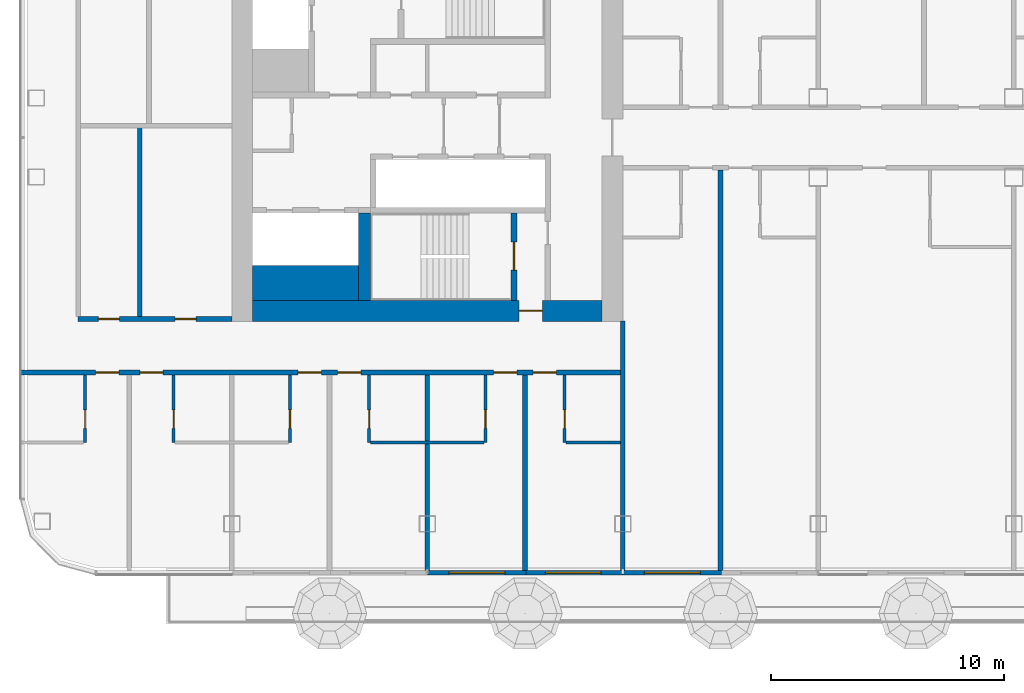
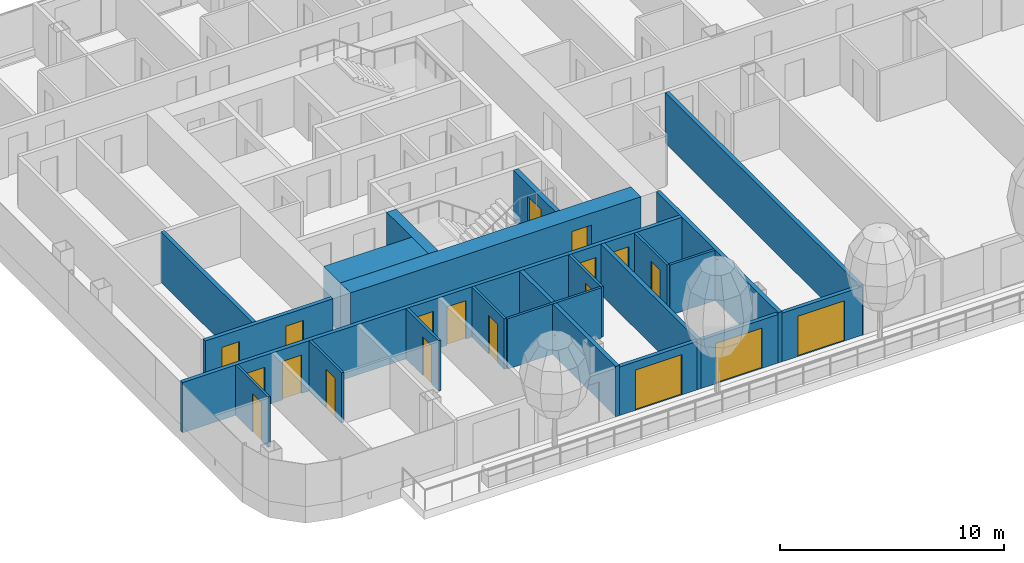
# One storey, part 12 of 32: 22 walls, 19 doors, 19 openings, 1 element without a shape of its own.
"""IFC4 building model written with IfcOpenShell, lengths in metres."""

from ifc_helpers import new_model, si_unit, direction, frame, frame_2d, origin, place, context, subcontext, project, spatial, rectangle, extrude, material, layer, layer_set, type_object, element, fill, aggregate, save


model = new_model("IFC4")

# Units and contexts
model_context = context("Model", 3, precision=1e-05, world=origin(), true_north=direction((0.0, 1.0)))
body_context = subcontext(model_context, "Body", "Model", "MODEL_VIEW")
ifc_project = project(units=[si_unit("LENGTHUNIT", "METRE"), si_unit("AREAUNIT", "SQUARE_METRE"), si_unit("VOLUMEUNIT", "CUBIC_METRE"), si_unit("PLANEANGLEUNIT", "RADIAN"), si_unit("MASSUNIT", "GRAM", prefix="KILO")], contexts=[model_context])

# Site, building, storey
site_placement = place(None, origin())
site = spatial("IfcSite", under=ifc_project, at=site_placement, CompositionType="ELEMENT")
building_placement = place(site_placement, origin())
building = spatial("IfcBuilding", under=site, at=building_placement, Name="Hakoniwa Tower and Hamabe Station Hall", CompositionType="ELEMENT")
storey_placement = place(building_placement, frame((0.0, 0.0, 150.199951171875)))
storey = spatial("IfcBuildingStorey", under=building, at=storey_placement, Name="L42", CompositionType="ELEMENT", Elevation=150.199951171875)

# Walls
ifc_material_1 = material(Name="Gypsum board partition", Category="gypsum")
ifc_layer_1 = layer(ifc_material_1, 0.125)
ifc_layer_set_1 = layer_set([ifc_layer_1], Name="Bathroom Partition 125")
wall_type_1 = type_object("IfcWallType", Name="Bathroom Partition 125", PredefinedType="PARTITIONING", material=ifc_layer_set_1)
wall_1_placement = place(storey_placement, frame((-27.637451171875, -13.60009765625, 0.0), z_axis=(0.0, 0.0, 1.0), x_axis=(1.0, 0.0, 0.0)))
element("IfcWall", 1, at=wall_1_placement, inside=storey, type_object=wall_type_1, Name="GW-L42-003", PredefinedType="PARTITIONING", context=body_context, shape_type="SweptSolid", body=[
    extrude(rectangle(XDim=4.875, YDim=0.125, at=frame_2d((2.4375, 0.0))), origin(), (0.0, 0.0, 1.0), 2.75),
])
wall_2_placement = place(storey_placement, frame((-19.237548828125, -13.60009765625, 0.0), z_axis=(0.0, 0.0, 1.0), x_axis=(1.0, 0.0, 0.0)))
element("IfcWall", 2, at=wall_2_placement, inside=storey, type_object=wall_type_1, Name="GW-L42-004", PredefinedType="PARTITIONING", context=body_context, shape_type="SweptSolid", body=[
    extrude(rectangle(XDim=2.337646484375, YDim=0.125, at=frame_2d((1.1689453125, 0.0))), origin(), (0.0, 0.0, 1.0), 2.75),
])

# Wall, opening, door
wall_3_placement = place(storey_placement, frame((-39.89990234375, -13.60009765625, 0.0), z_axis=(0.0, 0.0, 1.0), x_axis=(0.0, 1.0, 0.0)))
wall_3 = element("IfcWall", 3, at=wall_3_placement, inside=storey, type_object=wall_type_1, Name="GW-L42-036", PredefinedType="PARTITIONING", context=body_context, shape_type="SweptSolid", body=[
    extrude(rectangle(XDim=2.900146484375, YDim=0.125, at=frame_2d((1.4501953125, 0.0))), origin(), (0.0, 0.0, 1.0), 2.75),
])
opening_1_placement = place(wall_3_placement, frame((0.60009765625, 0.0, 0.0)))
opening_1 = element("IfcOpeningElement", 4, at=opening_1_placement, cuts=wall_3, Name="Opening GD-G3B1-44", PredefinedType="OPENING", context=body_context, shape_type="SweptSolid", body=[
    extrude(rectangle(XDim=0.800048828125, YDim=2.10009765625, at=frame_2d((0.39990234375, 1.050048828125))), frame((0.0, 0.072509765625, 0.0), z_axis=(0.0, -1.0, 0.0), x_axis=(1.0, 0.0, 0.0)), (0.0, 0.0, 1.0), 0.14501953125),
])
ifc_material_2 = material(Name="Timber door leaf", Category="wood")
door_type_1 = type_object("IfcDoorType", Name="Bathroom Door 800", OperationType="SINGLE_SWING_LEFT", PredefinedType="DOOR", material=ifc_material_2)
door_1_placement = place(opening_1_placement, origin())
door_1 = element("IfcDoor", 5, at=door_1_placement, inside=storey, type_object=door_type_1, Name="Door GD-G3B1-44", OperationType="SINGLE_SWING_RIGHT", OverallHeight=2.10009765625, OverallWidth=0.800048828125, PredefinedType="DOOR", context=body_context, shape_type="SweptSolid", body=[
    extrude(rectangle(XDim=0.800048828125, YDim=2.10009765625, at=frame_2d((0.39990234375, 1.050048828125))), frame((0.0, 0.02490234375, 0.0), z_axis=(0.0, -1.0, 0.0), x_axis=(1.0, 0.0, 0.0)), (0.0, 0.0, 1.0), 0.050048828125),
])
fill(opening_1, door_1)

wall_4_placement = place(storey_placement, frame((-36.10009765625, -13.60009765625, 0.0), z_axis=(0.0, 0.0, 1.0), x_axis=(0.0, 1.0, 0.0)))
wall_4 = element("IfcWall", 6, at=wall_4_placement, inside=storey, type_object=wall_type_1, Name="GW-L42-042", PredefinedType="PARTITIONING", context=body_context, shape_type="SweptSolid", body=[
    extrude(rectangle(XDim=2.900146484375, YDim=0.125, at=frame_2d((1.4501953125, 0.0))), origin(), (0.0, 0.0, 1.0), 2.75),
])
opening_2_placement = place(wall_4_placement, frame((0.60009765625, 0.0, 0.0)))
opening_2 = element("IfcOpeningElement", 7, at=opening_2_placement, cuts=wall_4, Name="Opening GD-G3B1-46", PredefinedType="OPENING", context=body_context, shape_type="SweptSolid", body=[
    extrude(rectangle(XDim=0.800048828125, YDim=2.10009765625, at=frame_2d((0.39990234375, 1.050048828125))), frame((0.0, 0.072509765625, 0.0), z_axis=(0.0, -1.0, 0.0), x_axis=(1.0, 0.0, 0.0)), (0.0, 0.0, 1.0), 0.14501953125),
])
door_2_placement = place(opening_2_placement, origin())
door_2 = element("IfcDoor", 8, at=door_2_placement, inside=storey, type_object=door_type_1, Name="Door GD-G3B1-46", OperationType="SINGLE_SWING_LEFT", OverallHeight=2.10009765625, OverallWidth=0.800048828125, PredefinedType="DOOR", context=body_context, shape_type="SweptSolid", body=[
    extrude(rectangle(XDim=0.800048828125, YDim=2.10009765625, at=frame_2d((0.39990234375, 1.050048828125))), frame((0.0, 0.02490234375, 0.0), z_axis=(0.0, -1.0, 0.0), x_axis=(1.0, 0.0, 0.0)), (0.0, 0.0, 1.0), 0.050048828125),
])
fill(opening_2, door_2)

wall_5_placement = place(storey_placement, frame((-31.10009765625, -13.60009765625, 0.0), z_axis=(0.0, 0.0, 1.0), x_axis=(0.0, 1.0, 0.0)))
wall_5 = element("IfcWall", 9, at=wall_5_placement, inside=storey, type_object=wall_type_1, Name="GW-L42-046", PredefinedType="PARTITIONING", context=body_context, shape_type="SweptSolid", body=[
    extrude(rectangle(XDim=2.900146484375, YDim=0.125, at=frame_2d((1.4501953125, 0.0))), origin(), (0.0, 0.0, 1.0), 2.75),
])
opening_3_placement = place(wall_5_placement, frame((0.60009765625, 0.0, 0.0)))
opening_3 = element("IfcOpeningElement", 10, at=opening_3_placement, cuts=wall_5, Name="Opening GD-G3B1-48", PredefinedType="OPENING", context=body_context, shape_type="SweptSolid", body=[
    extrude(rectangle(XDim=0.800048828125, YDim=2.10009765625, at=frame_2d((0.39990234375, 1.050048828125))), frame((0.0, 0.072509765625, 0.0), z_axis=(0.0, -1.0, 0.0), x_axis=(1.0, 0.0, 0.0)), (0.0, 0.0, 1.0), 0.14501953125),
])
door_3_placement = place(opening_3_placement, origin())
door_3 = element("IfcDoor", 11, at=door_3_placement, inside=storey, type_object=door_type_1, Name="Door GD-G3B1-48", OperationType="SINGLE_SWING_RIGHT", OverallHeight=2.10009765625, OverallWidth=0.800048828125, PredefinedType="DOOR", context=body_context, shape_type="SweptSolid", body=[
    extrude(rectangle(XDim=0.800048828125, YDim=2.10009765625, at=frame_2d((0.39990234375, 1.050048828125))), frame((0.0, 0.02490234375, 0.0), z_axis=(0.0, -1.0, 0.0), x_axis=(1.0, 0.0, 0.0)), (0.0, 0.0, 1.0), 0.050048828125),
])
fill(opening_3, door_3)

wall_6_placement = place(storey_placement, frame((-27.699951171875, -13.60009765625, 0.0), z_axis=(0.0, 0.0, 1.0), x_axis=(0.0, 1.0, 0.0)))
wall_6 = element("IfcWall", 12, at=wall_6_placement, inside=storey, type_object=wall_type_1, Name="GW-L42-050", PredefinedType="PARTITIONING", context=body_context, shape_type="SweptSolid", body=[
    extrude(rectangle(XDim=2.900146484375, YDim=0.125, at=frame_2d((1.4501953125, 0.0))), origin(), (0.0, 0.0, 1.0), 2.75),
])
opening_4_placement = place(wall_6_placement, frame((0.60009765625, 0.0, 0.0)))
opening_4 = element("IfcOpeningElement", 13, at=opening_4_placement, cuts=wall_6, Name="Opening GD-G3B1-50", PredefinedType="OPENING", context=body_context, shape_type="SweptSolid", body=[
    extrude(rectangle(XDim=0.800048828125, YDim=2.10009765625, at=frame_2d((0.39990234375, 1.050048828125))), frame((0.0, 0.072509765625, 0.0), z_axis=(0.0, -1.0, 0.0), x_axis=(1.0, 0.0, 0.0)), (0.0, 0.0, 1.0), 0.14501953125),
])
door_4_placement = place(opening_4_placement, origin())
door_4 = element("IfcDoor", 14, at=door_4_placement, inside=storey, type_object=door_type_1, Name="Door GD-G3B1-50", OperationType="SINGLE_SWING_LEFT", OverallHeight=2.10009765625, OverallWidth=0.800048828125, PredefinedType="DOOR", context=body_context, shape_type="SweptSolid", body=[
    extrude(rectangle(XDim=0.800048828125, YDim=2.10009765625, at=frame_2d((0.39990234375, 1.050048828125))), frame((0.0, 0.02490234375, 0.0), z_axis=(0.0, -1.0, 0.0), x_axis=(1.0, 0.0, 0.0)), (0.0, 0.0, 1.0), 0.050048828125),
])
fill(opening_4, door_4)

wall_7_placement = place(storey_placement, frame((-22.699951171875, -13.60009765625, 0.0), z_axis=(0.0, 0.0, 1.0), x_axis=(0.0, 1.0, 0.0)))
wall_7 = element("IfcWall", 15, at=wall_7_placement, inside=storey, type_object=wall_type_1, Name="GW-L42-054", PredefinedType="PARTITIONING", context=body_context, shape_type="SweptSolid", body=[
    extrude(rectangle(XDim=2.900146484375, YDim=0.125, at=frame_2d((1.4501953125, 0.0))), origin(), (0.0, 0.0, 1.0), 2.75),
])
opening_5_placement = place(wall_7_placement, frame((0.60009765625, 0.0, 0.0)))
opening_5 = element("IfcOpeningElement", 16, at=opening_5_placement, cuts=wall_7, Name="Opening GD-G3B1-52", PredefinedType="OPENING", context=body_context, shape_type="SweptSolid", body=[
    extrude(rectangle(XDim=0.800048828125, YDim=2.10009765625, at=frame_2d((0.39990234375, 1.050048828125))), frame((0.0, 0.072509765625, 0.0), z_axis=(0.0, -1.0, 0.0), x_axis=(1.0, 0.0, 0.0)), (0.0, 0.0, 1.0), 0.14501953125),
])
door_5_placement = place(opening_5_placement, origin())
door_5 = element("IfcDoor", 17, at=door_5_placement, inside=storey, type_object=door_type_1, Name="Door GD-G3B1-52", OperationType="SINGLE_SWING_RIGHT", OverallHeight=2.10009765625, OverallWidth=0.800048828125, PredefinedType="DOOR", context=body_context, shape_type="SweptSolid", body=[
    extrude(rectangle(XDim=0.800048828125, YDim=2.10009765625, at=frame_2d((0.39990234375, 1.050048828125))), frame((0.0, 0.02490234375, 0.0), z_axis=(0.0, -1.0, 0.0), x_axis=(1.0, 0.0, 0.0)), (0.0, 0.0, 1.0), 0.050048828125),
])
fill(opening_5, door_5)

wall_8_placement = place(storey_placement, frame((-19.300048828125, -13.60009765625, 0.0), z_axis=(0.0, 0.0, 1.0), x_axis=(0.0, 1.0, 0.0)))
wall_8 = element("IfcWall", 18, at=wall_8_placement, inside=storey, type_object=wall_type_1, Name="GW-L42-058", PredefinedType="PARTITIONING", context=body_context, shape_type="SweptSolid", body=[
    extrude(rectangle(XDim=2.900146484375, YDim=0.125, at=frame_2d((1.4501953125, 0.0))), origin(), (0.0, 0.0, 1.0), 2.75),
])
opening_6_placement = place(wall_8_placement, frame((0.60009765625, 0.0, 0.0)))
opening_6 = element("IfcOpeningElement", 19, at=opening_6_placement, cuts=wall_8, Name="Opening GD-G3B1-54", PredefinedType="OPENING", context=body_context, shape_type="SweptSolid", body=[
    extrude(rectangle(XDim=0.800048828125, YDim=2.10009765625, at=frame_2d((0.39990234375, 1.050048828125))), frame((0.0, 0.072509765625, 0.0), z_axis=(0.0, -1.0, 0.0), x_axis=(1.0, 0.0, 0.0)), (0.0, 0.0, 1.0), 0.14501953125),
])
door_6_placement = place(opening_6_placement, origin())
door_6 = element("IfcDoor", 20, at=door_6_placement, inside=storey, type_object=door_type_1, Name="Door GD-G3B1-54", OperationType="SINGLE_SWING_LEFT", OverallHeight=2.10009765625, OverallWidth=0.800048828125, PredefinedType="DOOR", context=body_context, shape_type="SweptSolid", body=[
    extrude(rectangle(XDim=0.800048828125, YDim=2.10009765625, at=frame_2d((0.39990234375, 1.050048828125))), frame((0.0, 0.02490234375, 0.0), z_axis=(0.0, -1.0, 0.0), x_axis=(1.0, 0.0, 0.0)), (0.0, 0.0, 1.0), 0.050048828125),
])
fill(opening_6, door_6)

ifc_material_3 = material(Name="Concrete C66", Category="concrete")
ifc_layer_2 = layer(ifc_material_3, 0.89990234375)
ifc_layer_set_2 = layer_set([ifc_layer_2], Name="CORE WALL 900 C66")
wall_type_2 = type_object("IfcWallType", Name="CORE WALL 900 C66", PredefinedType="SHEAR", material=ifc_layer_set_2)
wall_9_placement = place(storey_placement, frame((-32.699951171875, -7.949951171875, 0.0), z_axis=(0.0, 0.0, 1.0), x_axis=(1.0, 0.0, 0.0)))
wall_9 = element("IfcWall", 21, at=wall_9_placement, inside=storey, type_object=wall_type_2, Name="Core wall SOUTH west", PredefinedType="SHEAR", context=body_context, shape_type="SweptSolid", body=[
    extrude(rectangle(XDim=15.0, YDim=0.89990234375, at=frame_2d((7.5, 0.0))), origin(), (0.0, 0.0, 1.0), 2.75),
])
opening_7_placement = place(wall_9_placement, frame((11.449951171875, 0.0, 0.0)))
opening_7 = element("IfcOpeningElement", 22, at=opening_7_placement, cuts=wall_9, Name="Opening CD-W-FS3-10", PredefinedType="OPENING", context=body_context, shape_type="SweptSolid", body=[
    extrude(rectangle(XDim=1.0, YDim=2.10009765625, at=frame_2d((0.5, 1.050048828125))), frame((0.0, 0.4599609375, 0.0), z_axis=(0.0, -1.0, 0.0), x_axis=(1.0, 0.0, 0.0)), (0.0, 0.0, 1.0), 0.919921875),
])
ifc_material_4 = material(Name="Steel fire door", Category="steel")
door_type_2 = type_object("IfcDoorType", Name="CORE DOOR 1000 FD60", OperationType="NOTDEFINED", PredefinedType="DOOR", material=ifc_material_4)
door_7_placement = place(opening_7_placement, origin())
door_7 = element("IfcDoor", 23, at=door_7_placement, inside=storey, type_object=door_type_2, Name="Stair vestibule door", OperationType="SINGLE_SWING_LEFT", OverallHeight=2.10009765625, OverallWidth=1.0, PredefinedType="DOOR", context=body_context, shape_type="SweptSolid", body=[
    extrude(rectangle(XDim=1.0, YDim=2.10009765625, at=frame_2d((0.5, 1.050048828125))), frame((0.0, 0.02490234375, 0.0), z_axis=(0.0, -1.0, 0.0), x_axis=(1.0, 0.0, 0.0)), (0.0, 0.0, 1.0), 0.050048828125),
])
fill(opening_7, door_7)

# Wall
ifc_material_5 = material(Name="Concrete C66", Category="concrete")
ifc_layer_3 = layer(ifc_material_5, 1.5)
ifc_layer_set_3 = layer_set([ifc_layer_3], Name="CORE WEB WALL 1500 C66")
wall_type_3 = type_object("IfcWallType", Name="CORE WEB WALL 1500 C66", PredefinedType="SHEAR", material=ifc_layer_set_3)
wall_10_placement = place(storey_placement, frame((-32.699951171875, -6.75, 0.0), z_axis=(0.0, 0.0, 1.0), x_axis=(1.0, 0.0, 0.0)))
element("IfcWall", 24, at=wall_10_placement, inside=storey, type_object=wall_type_3, Name="Core wall SER west", PredefinedType="SHEAR", context=body_context, shape_type="SweptSolid", body=[
    extrude(rectangle(XDim=4.550048828125, YDim=1.5, at=frame_2d((2.27490234375, 0.0))), origin(), (0.0, 0.0, 1.0), 2.75),
])

# Wall, opening, door
ifc_material_6 = material(Name="Concrete C66", Category="concrete")
ifc_layer_4 = layer(ifc_material_6, 0.25)
ifc_layer_set_4 = layer_set([ifc_layer_4], Name="CORE WEB WALL 250 C66")
wall_type_4 = type_object("IfcWallType", Name="CORE WEB WALL 250 C66", PredefinedType="SHEAR", material=ifc_layer_set_4)
wall_11_placement = place(storey_placement, frame((-21.47509765625, -7.5, 0.0), z_axis=(0.0, 0.0, 1.0), x_axis=(0.0, 1.0, 0.0)))
wall_11 = element("IfcWall", 25, at=wall_11_placement, inside=storey, type_object=wall_type_4, Name="Core wall VE west", PredefinedType="SHEAR", context=body_context, shape_type="SweptSolid", body=[
    extrude(rectangle(XDim=3.75, YDim=0.25, at=frame_2d((1.875, 0.0))), origin(), (0.0, 0.0, 1.0), 2.75),
])
opening_8_placement = place(wall_11_placement, frame((1.300048828125, 0.0, 0.0)))
opening_8 = element("IfcOpeningElement", 26, at=opening_8_placement, cuts=wall_11, Name="Opening CD-W-SS-12", PredefinedType="OPENING", context=body_context, shape_type="SweptSolid", body=[
    extrude(rectangle(XDim=1.199951171875, YDim=2.10009765625, at=frame_2d((0.60009765625, 1.050048828125))), frame((0.0, 0.135009765625, 0.0), z_axis=(0.0, -1.0, 0.0), x_axis=(1.0, 0.0, 0.0)), (0.0, 0.0, 1.0), 0.27001953125),
])
ifc_material_7 = material(Name="Steel fire door", Category="steel")
door_type_3 = type_object("IfcDoorType", Name="CORE DOOR 1200 FD60", OperationType="DOUBLE_DOOR_SINGLE_SWING", PredefinedType="DOOR", material=ifc_material_7)
door_8_placement = place(opening_8_placement, origin())
door_8 = element("IfcDoor", 27, at=door_8_placement, inside=storey, type_object=door_type_3, Name="Escape stair door", OperationType="DOUBLE_DOOR_SINGLE_SWING", OverallHeight=2.10009765625, OverallWidth=1.199951171875, PredefinedType="DOOR", context=body_context, shape_type="SweptSolid", body=[
    extrude(rectangle(XDim=1.199951171875, YDim=2.10009765625, at=frame_2d((0.60009765625, 1.050048828125))), frame((0.0, 0.02490234375, 0.0), z_axis=(0.0, -1.0, 0.0), x_axis=(1.0, 0.0, 0.0)), (0.0, 0.0, 1.0), 0.050048828125),
])
fill(opening_8, door_8)

# Wall
ifc_material_8 = material(Name="Concrete C66", Category="concrete")
ifc_layer_5 = layer(ifc_material_8, 0.5)
ifc_layer_set_5 = layer_set([ifc_layer_5], Name="CORE WEB WALL 500 C66")
wall_type_5 = type_object("IfcWallType", Name="CORE WEB WALL 500 C66", PredefinedType="SHEAR", material=ifc_layer_set_5)
wall_12_placement = place(storey_placement, frame((-27.89990234375, -7.5, 0.0), z_axis=(0.0, 0.0, 1.0), x_axis=(0.0, 1.0, 0.0)))
element("IfcWall", 28, at=wall_12_placement, inside=storey, type_object=wall_type_5, Name="Core wall SSE west", PredefinedType="SHEAR", context=body_context, shape_type="SweptSolid", body=[
    extrude(rectangle(XDim=3.75, YDim=0.5, at=frame_2d((1.875, 0.0))), origin(), (0.0, 0.0, 1.0), 2.75),
])

# Wall, openings, doors
ifc_material_9 = material(Name="Fire-rated gypsum board partition", Category="gypsum")
ifc_layer_6 = layer(ifc_material_9, 0.199951171875)
ifc_layer_set_6 = layer_set([ifc_layer_6], Name="Corridor Wall 200")
wall_type_6 = type_object("IfcWallType", Name="Corridor Wall 200", PredefinedType="PARTITIONING", material=ifc_layer_set_6)
wall_13_placement = place(storey_placement, frame((-42.699951171875, -10.60009765625, 0.0), z_axis=(0.0, 0.0, 1.0), x_axis=(1.0, 0.0, 0.0)))
wall_13 = element("IfcWall", 29, at=wall_13_placement, inside=storey, type_object=wall_type_6, Name="GW-L42-009", PredefinedType="PARTITIONING", context=body_context, shape_type="SweptSolid", body=[
    extrude(rectangle(XDim=25.89990234375, YDim=0.199951171875, at=frame_2d((12.949951171875, 0.0))), origin(), (0.0, 0.0, 1.0), 2.75),
])
opening_9_placement = place(wall_13_placement, frame((3.25, 0.0, 0.0)))
opening_9 = element("IfcOpeningElement", 30, at=opening_9_placement, cuts=wall_13, Name="Opening GD-G3B1-01", PredefinedType="OPENING", context=body_context, shape_type="SweptSolid", body=[
    extrude(rectangle(XDim=1.0, YDim=2.10009765625, at=frame_2d((0.5, 1.050048828125))), frame((0.0, 0.10986328125, 0.0), z_axis=(0.0, -1.0, 0.0), x_axis=(1.0, 0.0, 0.0)), (0.0, 0.0, 1.0), 0.219970703125),
])
opening_10_placement = place(wall_13_placement, frame((5.14990234375, 0.0, 0.0)))
opening_10 = element("IfcOpeningElement", 31, at=opening_10_placement, cuts=wall_13, Name="Opening GD-G3B1-02", PredefinedType="OPENING", context=body_context, shape_type="SweptSolid", body=[
    extrude(rectangle(XDim=1.0, YDim=2.10009765625, at=frame_2d((0.5, 1.050048828125))), frame((0.0, 0.10986328125, 0.0), z_axis=(0.0, -1.0, 0.0), x_axis=(1.0, 0.0, 0.0)), (0.0, 0.0, 1.0), 0.219970703125),
])
opening_11_placement = place(wall_13_placement, frame((11.949951171875, 0.0, 0.0)))
opening_11 = element("IfcOpeningElement", 32, at=opening_11_placement, cuts=wall_13, Name="Opening GD-G3B1-03", PredefinedType="OPENING", context=body_context, shape_type="SweptSolid", body=[
    extrude(rectangle(XDim=1.0, YDim=2.10009765625, at=frame_2d((0.5, 1.050048828125))), frame((0.0, 0.10986328125, 0.0), z_axis=(0.0, -1.0, 0.0), x_axis=(1.0, 0.0, 0.0)), (0.0, 0.0, 1.0), 0.219970703125),
])
opening_12_placement = place(wall_13_placement, frame((13.64990234375, 0.0, 0.0)))
opening_12 = element("IfcOpeningElement", 33, at=opening_12_placement, cuts=wall_13, Name="Opening GD-G3B1-04", PredefinedType="OPENING", context=body_context, shape_type="SweptSolid", body=[
    extrude(rectangle(XDim=1.0, YDim=2.10009765625, at=frame_2d((0.5, 1.050048828125))), frame((0.0, 0.10986328125, 0.0), z_axis=(0.0, -1.0, 0.0), x_axis=(1.0, 0.0, 0.0)), (0.0, 0.0, 1.0), 0.219970703125),
])
opening_13_placement = place(wall_13_placement, frame((20.35009765625, 0.0, 0.0)))
opening_13 = element("IfcOpeningElement", 34, at=opening_13_placement, cuts=wall_13, Name="Opening GD-G3B1-05", PredefinedType="OPENING", context=body_context, shape_type="SweptSolid", body=[
    extrude(rectangle(XDim=1.0, YDim=2.10009765625, at=frame_2d((0.5, 1.050048828125))), frame((0.0, 0.10986328125, 0.0), z_axis=(0.0, -1.0, 0.0), x_axis=(1.0, 0.0, 0.0)), (0.0, 0.0, 1.0), 0.219970703125),
])
opening_14_placement = place(wall_13_placement, frame((22.050048828125, 0.0, 0.0)))
opening_14 = element("IfcOpeningElement", 35, at=opening_14_placement, cuts=wall_13, Name="Opening GD-G3B1-06", PredefinedType="OPENING", context=body_context, shape_type="SweptSolid", body=[
    extrude(rectangle(XDim=1.0, YDim=2.10009765625, at=frame_2d((0.5, 1.050048828125))), frame((0.0, 0.10986328125, 0.0), z_axis=(0.0, -1.0, 0.0), x_axis=(1.0, 0.0, 0.0)), (0.0, 0.0, 1.0), 0.219970703125),
])
ifc_material_10 = material(Name="Timber door leaf", Category="wood")
door_type_4 = type_object("IfcDoorType", Name="Guest Entrance Door 1000", OperationType="SINGLE_SWING_LEFT", PredefinedType="DOOR", material=ifc_material_10)
door_9_placement = place(opening_9_placement, origin())
door_9 = element("IfcDoor", 36, at=door_9_placement, inside=storey, type_object=door_type_4, Name="Door GD-G3B1-01", OperationType="SINGLE_SWING_RIGHT", OverallHeight=2.10009765625, OverallWidth=1.0, PredefinedType="DOOR", context=body_context, shape_type="SweptSolid", body=[
    extrude(rectangle(XDim=1.0, YDim=2.10009765625, at=frame_2d((0.5, 1.050048828125))), frame((0.0, 0.02490234375, 0.0), z_axis=(0.0, -1.0, 0.0), x_axis=(1.0, 0.0, 0.0)), (0.0, 0.0, 1.0), 0.050048828125),
])
fill(opening_9, door_9)
door_10_placement = place(opening_10_placement, origin())
door_10 = element("IfcDoor", 37, at=door_10_placement, inside=storey, type_object=door_type_4, Name="Door GD-G3B1-02", OperationType="SINGLE_SWING_LEFT", OverallHeight=2.10009765625, OverallWidth=1.0, PredefinedType="DOOR", context=body_context, shape_type="SweptSolid", body=[
    extrude(rectangle(XDim=1.0, YDim=2.10009765625, at=frame_2d((0.5, 1.050048828125))), frame((0.0, 0.02490234375, 0.0), z_axis=(0.0, -1.0, 0.0), x_axis=(1.0, 0.0, 0.0)), (0.0, 0.0, 1.0), 0.050048828125),
])
fill(opening_10, door_10)
door_11_placement = place(opening_11_placement, origin())
door_11 = element("IfcDoor", 38, at=door_11_placement, inside=storey, type_object=door_type_4, Name="Door GD-G3B1-03", OperationType="SINGLE_SWING_RIGHT", OverallHeight=2.10009765625, OverallWidth=1.0, PredefinedType="DOOR", context=body_context, shape_type="SweptSolid", body=[
    extrude(rectangle(XDim=1.0, YDim=2.10009765625, at=frame_2d((0.5, 1.050048828125))), frame((0.0, 0.02490234375, 0.0), z_axis=(0.0, -1.0, 0.0), x_axis=(1.0, 0.0, 0.0)), (0.0, 0.0, 1.0), 0.050048828125),
])
fill(opening_11, door_11)
door_12_placement = place(opening_12_placement, origin())
door_12 = element("IfcDoor", 39, at=door_12_placement, inside=storey, type_object=door_type_4, Name="Door GD-G3B1-04", OperationType="SINGLE_SWING_LEFT", OverallHeight=2.10009765625, OverallWidth=1.0, PredefinedType="DOOR", context=body_context, shape_type="SweptSolid", body=[
    extrude(rectangle(XDim=1.0, YDim=2.10009765625, at=frame_2d((0.5, 1.050048828125))), frame((0.0, 0.02490234375, 0.0), z_axis=(0.0, -1.0, 0.0), x_axis=(1.0, 0.0, 0.0)), (0.0, 0.0, 1.0), 0.050048828125),
])
fill(opening_12, door_12)
door_13_placement = place(opening_13_placement, origin())
door_13 = element("IfcDoor", 40, at=door_13_placement, inside=storey, type_object=door_type_4, Name="Door GD-G3B1-05", OperationType="SINGLE_SWING_RIGHT", OverallHeight=2.10009765625, OverallWidth=1.0, PredefinedType="DOOR", context=body_context, shape_type="SweptSolid", body=[
    extrude(rectangle(XDim=1.0, YDim=2.10009765625, at=frame_2d((0.5, 1.050048828125))), frame((0.0, 0.02490234375, 0.0), z_axis=(0.0, -1.0, 0.0), x_axis=(1.0, 0.0, 0.0)), (0.0, 0.0, 1.0), 0.050048828125),
])
fill(opening_13, door_13)
door_14_placement = place(opening_14_placement, origin())
door_14 = element("IfcDoor", 41, at=door_14_placement, inside=storey, type_object=door_type_4, Name="Door GD-G3B1-06", OperationType="SINGLE_SWING_LEFT", OverallHeight=2.10009765625, OverallWidth=1.0, PredefinedType="DOOR", context=body_context, shape_type="SweptSolid", body=[
    extrude(rectangle(XDim=1.0, YDim=2.10009765625, at=frame_2d((0.5, 1.050048828125))), frame((0.0, 0.02490234375, 0.0), z_axis=(0.0, -1.0, 0.0), x_axis=(1.0, 0.0, 0.0)), (0.0, 0.0, 1.0), 0.050048828125),
])
fill(opening_14, door_14)

wall_14_placement = place(storey_placement, frame((-40.199951171875, -8.300048828125, 0.0), z_axis=(0.0, 0.0, 1.0), x_axis=(1.0, 0.0, 0.0)))
wall_14 = element("IfcWall", 42, at=wall_14_placement, inside=storey, type_object=wall_type_6, Name="GW-L42-011", PredefinedType="PARTITIONING", context=body_context, shape_type="SweptSolid", body=[
    extrude(rectangle(XDim=6.599853515625, YDim=0.199951171875, at=frame_2d((3.2998046875, 0.0))), origin(), (0.0, 0.0, 1.0), 2.75),
])
opening_15_placement = place(wall_14_placement, frame((0.8701171875, 0.0, 0.0)))
opening_15 = element("IfcOpeningElement", 43, at=opening_15_placement, cuts=wall_14, Name="Opening GD-G3B1-13", PredefinedType="OPENING", context=body_context, shape_type="SweptSolid", body=[
    extrude(rectangle(XDim=0.89990234375, YDim=2.10009765625, at=frame_2d((0.449951171875, 1.050048828125))), frame((0.0, 0.10986328125, 0.0), z_axis=(0.0, -1.0, 0.0), x_axis=(1.0, 0.0, 0.0)), (0.0, 0.0, 1.0), 0.219970703125),
])
opening_16_placement = place(wall_14_placement, frame((4.169921875, 0.0, 0.0)))
opening_16 = element("IfcOpeningElement", 44, at=opening_16_placement, cuts=wall_14, Name="Opening GD-G3B1-14", PredefinedType="OPENING", context=body_context, shape_type="SweptSolid", body=[
    extrude(rectangle(XDim=0.89990234375, YDim=2.10009765625, at=frame_2d((0.449951171875, 1.050048828125))), frame((0.0, 0.10986328125, 0.0), z_axis=(0.0, -1.0, 0.0), x_axis=(1.0, 0.0, 0.0)), (0.0, 0.0, 1.0), 0.219970703125),
])
ifc_material_11 = material(Name="Timber door leaf", Category="wood")
door_type_5 = type_object("IfcDoorType", Name="Service Door 900", OperationType="SINGLE_SWING_LEFT", PredefinedType="DOOR", material=ifc_material_11)
door_15_placement = place(opening_15_placement, origin())
door_15 = element("IfcDoor", 45, at=door_15_placement, inside=storey, type_object=door_type_5, Name="Door GD-G3B1-13", OperationType="SINGLE_SWING_RIGHT", OverallHeight=2.10009765625, OverallWidth=0.89990234375, PredefinedType="DOOR", context=body_context, shape_type="SweptSolid", body=[
    extrude(rectangle(XDim=0.89990234375, YDim=2.10009765625, at=frame_2d((0.449951171875, 1.050048828125))), frame((0.0, 0.02490234375, 0.0), z_axis=(0.0, -1.0, 0.0), x_axis=(1.0, 0.0, 0.0)), (0.0, 0.0, 1.0), 0.050048828125),
])
fill(opening_15, door_15)
door_16_placement = place(opening_16_placement, origin())
door_16 = element("IfcDoor", 46, at=door_16_placement, inside=storey, type_object=door_type_5, Name="Door GD-G3B1-14", OperationType="SINGLE_SWING_RIGHT", OverallHeight=2.10009765625, OverallWidth=0.89990234375, PredefinedType="DOOR", context=body_context, shape_type="SweptSolid", body=[
    extrude(rectangle(XDim=0.89990234375, YDim=2.10009765625, at=frame_2d((0.449951171875, 1.050048828125))), frame((0.0, 0.02490234375, 0.0), z_axis=(0.0, -1.0, 0.0), x_axis=(1.0, 0.0, 0.0)), (0.0, 0.0, 1.0), 0.050048828125),
])
fill(opening_16, door_16)

# Curtain wall, walls, openings, doors
ifc_material_12 = material(Name="Dark low-e laminated glass", Category="glass")
ifc_layer_7 = layer(ifc_material_12, 0.199951171875)
ifc_layer_set_7 = layer_set([ifc_layer_7], Name="CW-1 UNITISED GUEST")
curtain_wall_type = type_object("IfcCurtainWallType", Name="CW-1 UNITISED GUEST", PredefinedType="NOTDEFINED", material=ifc_layer_set_7)
curtain_wall_placement = place(storey_placement, origin())
curtain_wall = element("IfcCurtainWall", 47, at=curtain_wall_placement, inside=storey, type_object=curtain_wall_type, Name="CW-1 curtain wall", PredefinedType="NOTDEFINED")
ifc_material_13 = material(Name="Dark glass-faced aluminium panel", Category="aluminium")
ifc_layer_8 = layer(ifc_material_13, 0.199951171875)
ifc_layer_set_8 = layer_set([ifc_layer_8], Name="DOOR BAY WALL")
wall_type_7 = type_object("IfcWallType", Name="DOOR BAY WALL", PredefinedType="NOTDEFINED", material=ifc_layer_set_8)
wall_15_placement = place(storey_placement, frame((-25.179931640625, -19.199951171875, 0.0), z_axis=(0.0, 0.0, 1.0), x_axis=(1.0, 0.0, 0.0)))
wall_15 = element("IfcWall", 48, at=wall_15_placement, type_object=wall_type_7, Name="Door bay wall", PredefinedType="NOTDEFINED", context=body_context, shape_type="SweptSolid", body=[
    extrude(rectangle(XDim=4.219970703125, YDim=0.199951171875, at=frame_2d((2.10986328125, 0.0))), origin(), (0.0, 0.0, 1.0), 2.650146484375),
])
opening_17_placement = place(wall_15_placement, frame((0.909912109375, 0.0, 0.0)))
opening_17 = element("IfcOpeningElement", 49, at=opening_17_placement, cuts=wall_15, Name="Opening BD-S07-22", PredefinedType="OPENING", context=body_context, shape_type="SweptSolid", body=[
    extrude(rectangle(XDim=2.39990234375, YDim=2.199951171875, at=frame_2d((1.199951171875, 1.10009765625))), frame((0.0, 0.10986328125, 0.0), z_axis=(0.0, -1.0, 0.0), x_axis=(1.0, 0.0, 0.0)), (0.0, 0.0, 1.0), 0.219970703125),
])
ifc_material_14 = material(Name="Dark low-e laminated glass", Category="glass")
door_type_6 = type_object("IfcDoorType", Name="BALCONY SLIDING DOOR 2400X2200", OperationType="SLIDING_TO_LEFT", PredefinedType="DOOR", material=ifc_material_14)
door_17_placement = place(opening_17_placement, frame((2.39990234375, 0.0, 0.0), z_axis=(0.0, 0.0, 1.0), x_axis=(-1.0, 0.0, 0.0)))
door_17 = element("IfcDoor", 50, at=door_17_placement, inside=storey, type_object=door_type_6, Name="Balcony sliding door", OperationType="SLIDING_TO_LEFT", OverallHeight=2.199951171875, OverallWidth=2.39990234375, PredefinedType="DOOR", context=body_context, shape_type="SweptSolid", body=[
    extrude(rectangle(XDim=2.39990234375, YDim=2.199951171875, at=frame_2d((1.199951171875, 1.10009765625))), frame((0.0, 0.02490234375, 0.0), z_axis=(0.0, -1.0, 0.0), x_axis=(1.0, 0.0, 0.0)), (0.0, 0.0, 1.0), 0.050048828125),
])
fill(opening_17, door_17)
wall_16_placement = place(storey_placement, frame((-21.0400390625, -19.199951171875, 0.0), z_axis=(0.0, 0.0, 1.0), x_axis=(1.0, 0.0, 0.0)))
wall_16 = element("IfcWall", 51, at=wall_16_placement, type_object=wall_type_7, Name="Door bay wall", PredefinedType="NOTDEFINED", context=body_context, shape_type="SweptSolid", body=[
    extrude(rectangle(XDim=4.219970703125, YDim=0.199951171875, at=frame_2d((2.10986328125, 0.0))), origin(), (0.0, 0.0, 1.0), 2.650146484375),
])
opening_18_placement = place(wall_16_placement, frame((0.909912109375, 0.0, 0.0)))
opening_18 = element("IfcOpeningElement", 52, at=opening_18_placement, cuts=wall_16, Name="Opening BD-S07-23", PredefinedType="OPENING", context=body_context, shape_type="SweptSolid", body=[
    extrude(rectangle(XDim=2.39990234375, YDim=2.199951171875, at=frame_2d((1.199951171875, 1.10009765625))), frame((0.0, 0.10986328125, 0.0), z_axis=(0.0, -1.0, 0.0), x_axis=(1.0, 0.0, 0.0)), (0.0, 0.0, 1.0), 0.219970703125),
])
door_18_placement = place(opening_18_placement, frame((2.39990234375, 0.0, 0.0), z_axis=(0.0, 0.0, 1.0), x_axis=(-1.0, 0.0, 0.0)))
door_18 = element("IfcDoor", 53, at=door_18_placement, inside=storey, type_object=door_type_6, Name="Balcony sliding door", OperationType="SLIDING_TO_LEFT", OverallHeight=2.199951171875, OverallWidth=2.39990234375, PredefinedType="DOOR", context=body_context, shape_type="SweptSolid", body=[
    extrude(rectangle(XDim=2.39990234375, YDim=2.199951171875, at=frame_2d((1.199951171875, 1.10009765625))), frame((0.0, 0.02490234375, 0.0), z_axis=(0.0, -1.0, 0.0), x_axis=(1.0, 0.0, 0.0)), (0.0, 0.0, 1.0), 0.050048828125),
])
fill(opening_18, door_18)
wall_17_placement = place(storey_placement, frame((-16.780029296875, -19.199951171875, 0.0), z_axis=(0.0, 0.0, 1.0), x_axis=(1.0, 0.0, 0.0)))
wall_17 = element("IfcWall", 54, at=wall_17_placement, type_object=wall_type_7, Name="Door bay wall", PredefinedType="NOTDEFINED", context=body_context, shape_type="SweptSolid", body=[
    extrude(rectangle(XDim=4.219970703125, YDim=0.199951171875, at=frame_2d((2.10986328125, 0.0))), origin(), (0.0, 0.0, 1.0), 2.650146484375),
])
opening_19_placement = place(wall_17_placement, frame((0.909912109375, 0.0, 0.0)))
opening_19 = element("IfcOpeningElement", 55, at=opening_19_placement, cuts=wall_17, Name="Opening BD-S07-7", PredefinedType="OPENING", context=body_context, shape_type="SweptSolid", body=[
    extrude(rectangle(XDim=2.39990234375, YDim=2.199951171875, at=frame_2d((1.199951171875, 1.10009765625))), frame((0.0, 0.10986328125, 0.0), z_axis=(0.0, -1.0, 0.0), x_axis=(1.0, 0.0, 0.0)), (0.0, 0.0, 1.0), 0.219970703125),
])
door_19_placement = place(opening_19_placement, frame((2.39990234375, 0.0, 0.0), z_axis=(0.0, 0.0, 1.0), x_axis=(-1.0, 0.0, 0.0)))
door_19 = element("IfcDoor", 56, at=door_19_placement, inside=storey, type_object=door_type_6, Name="Balcony sliding door", OperationType="SLIDING_TO_LEFT", OverallHeight=2.199951171875, OverallWidth=2.39990234375, PredefinedType="DOOR", context=body_context, shape_type="SweptSolid", body=[
    extrude(rectangle(XDim=2.39990234375, YDim=2.199951171875, at=frame_2d((1.199951171875, 1.10009765625))), frame((0.0, 0.02490234375, 0.0), z_axis=(0.0, -1.0, 0.0), x_axis=(1.0, 0.0, 0.0)), (0.0, 0.0, 1.0), 0.050048828125),
])
fill(opening_19, door_19)
aggregate(curtain_wall, [wall_15, wall_16, wall_17])

# Walls
ifc_material_15 = material(Name="Fire-rated gypsum board partition", Category="gypsum")
ifc_layer_9 = layer(ifc_material_15, 0.199951171875)
ifc_layer_set_9 = layer_set([ifc_layer_9], Name="Party Wall 200")
wall_type_8 = type_object("IfcWallType", Name="Party Wall 200", PredefinedType="PARTITIONING", material=ifc_layer_set_9)
wall_18_placement = place(storey_placement, frame((-37.56005859375, -8.199951171875, 0.0), z_axis=(0.0, 0.0, 1.0), x_axis=(0.0, 1.0, 0.0)))
element("IfcWall", 57, at=wall_18_placement, inside=storey, type_object=wall_type_8, Name="GW-L42-040", PredefinedType="PARTITIONING", context=body_context, shape_type="SweptSolid", body=[
    extrude(rectangle(XDim=8.199951171875, YDim=0.199951171875, at=frame_2d((4.10009765625, 0.0))), origin(), (0.0, 0.0, 1.0), 2.75),
])
for number, where, z_axis, x_axis, name in (
    (58, (-25.199951171875, -19.300048828125, 0.0), (0.0, 0.0, 1.0), (0.0, 1.0, 0.0), "GW-L42-052"),
    (59, (-21.0, -19.300048828125, 0.0), (0.0, 0.0, 1.0), (0.0, 1.0, 0.0), "GW-L42-056"),
):
    element("IfcWall", number, at=place(storey_placement, frame(where, z_axis=z_axis, x_axis=x_axis)), inside=storey, type_object=wall_type_8, Name=name, PredefinedType="PARTITIONING", context=body_context, shape_type="SweptSolid", body=[
        extrude(rectangle(XDim=8.60009765625, YDim=0.199951171875, at=frame_2d((4.300048828125, 0.0))), origin(), (0.0, 0.0, 1.0), 2.75),
    ])
wall_19_placement = place(storey_placement, frame((-16.800048828125, -19.300048828125, 0.0), z_axis=(0.0, 0.0, 1.0), x_axis=(0.0, 1.0, 0.0)))
element("IfcWall", 60, at=wall_19_placement, inside=storey, type_object=wall_type_8, Name="GW-L42-060", PredefinedType="PARTITIONING", context=body_context, shape_type="SweptSolid", body=[
    extrude(rectangle(XDim=10.91015625, YDim=0.199951171875, at=frame_2d((5.455078125, 0.0))), origin(), (0.0, 0.0, 1.0), 2.75),
])
wall_20_placement = place(storey_placement, frame((-12.60009765625, -19.300048828125, 0.0), z_axis=(0.0, 0.0, 1.0), x_axis=(0.0, 1.0, 0.0)))
element("IfcWall", 61, at=wall_20_placement, inside=storey, type_object=wall_type_8, Name="GW-L42-064", PredefinedType="PARTITIONING", context=body_context, shape_type="SweptSolid", body=[
    extrude(rectangle(XDim=17.400146484375, YDim=0.199951171875, at=frame_2d((8.7001953125, 0.0))), origin(), (0.0, 0.0, 1.0), 2.75),
])

save(model, "model.ifc")
